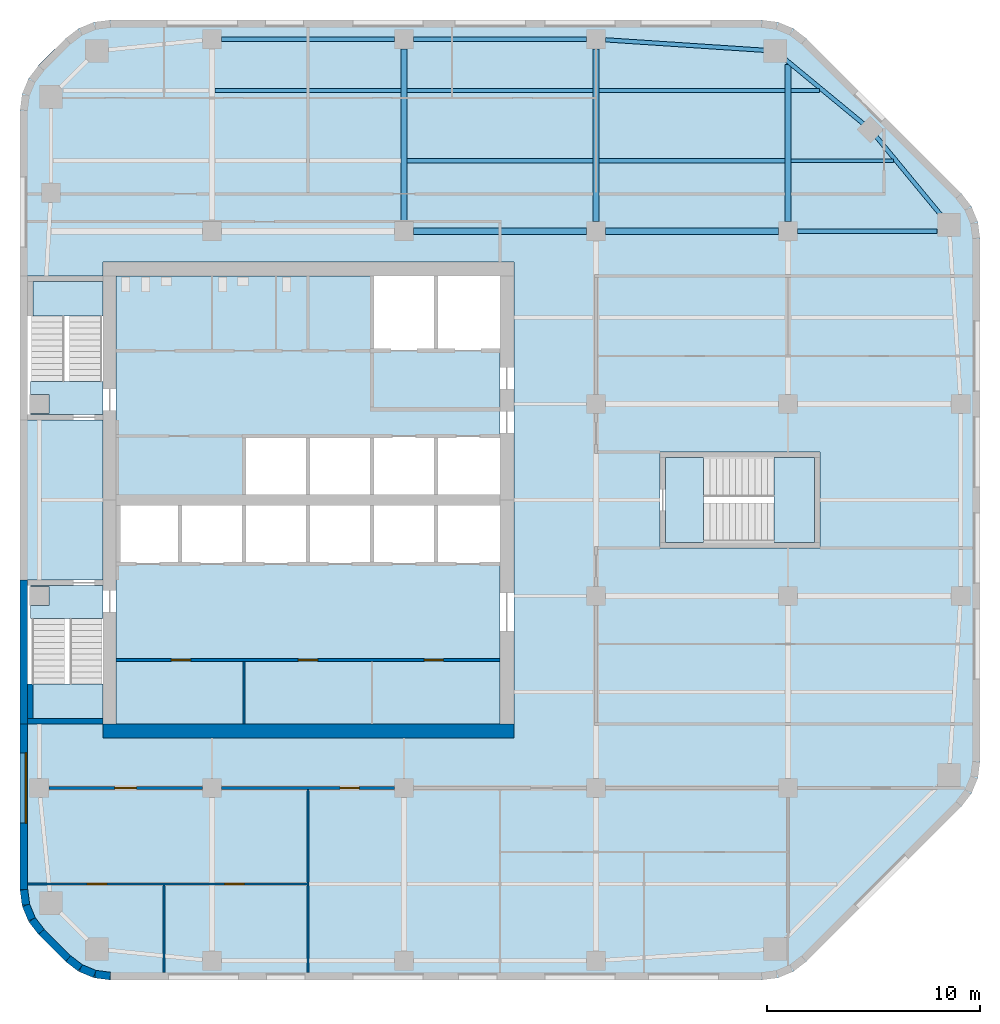
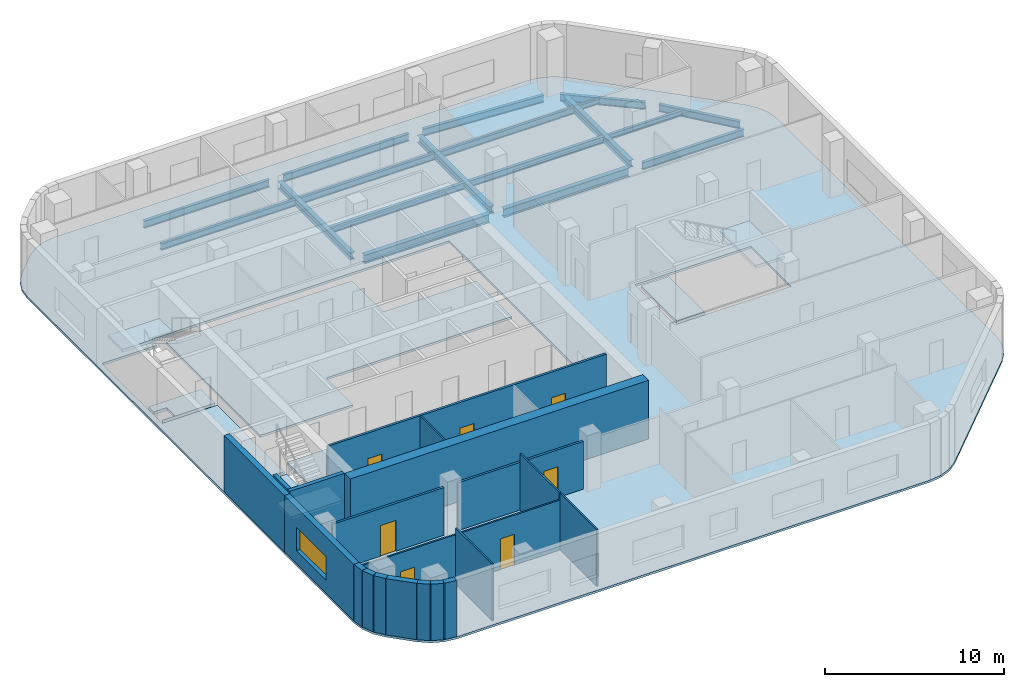
# One storey, part 2 of 8: 20 walls, 18 beams, 9 slabs, 7 doors, 1 window, 8 openings, 3 elements without a shape of their own.
"""IFC4 building model written with IfcOpenShell, lengths in metres."""

from ifc_helpers import new_model, si_unit, direction, frame, frame_2d, origin, origin_2d, place, context, subcontext, project, spatial, polyline, rectangle, i_section, outline, extrude, material, layer, layer_set, material_profile, profile_set, type_object, element, fill, aggregate, save


model = new_model("IFC4")

# Units and contexts
model_context = context("Model", 3, precision=1e-05, world=origin(), true_north=direction((0.0, 1.0)))
body_context = subcontext(model_context, "Body", "Model", "MODEL_VIEW")
ifc_project = project(units=[si_unit("LENGTHUNIT", "METRE"), si_unit("AREAUNIT", "SQUARE_METRE"), si_unit("VOLUMEUNIT", "CUBIC_METRE"), si_unit("PLANEANGLEUNIT", "RADIAN"), si_unit("MASSUNIT", "GRAM", prefix="KILO")], contexts=[model_context])

# Site, building, storey
site_placement = place(None, origin())
site = spatial("IfcSite", under=ifc_project, at=site_placement, CompositionType="ELEMENT")
building_placement = place(site_placement, origin())
building = spatial("IfcBuilding", under=site, at=building_placement, Name="Cinnabar Reach Civic Tower", CompositionType="ELEMENT")
storey_placement = place(building_placement, frame((0.0, 0.0, 157.0)))
storey = spatial("IfcBuildingStorey", under=building, at=storey_placement, Name="L37", CompositionType="ELEMENT", Elevation=157.0)

# Beams
ifc_material_1 = material(Name="Steel Q355B", Category="steel")
ifc_material_profile_1 = material_profile(ifc_material_1, i_section(OverallWidth=0.3, OverallDepth=0.488, WebThickness=0.011, FlangeThickness=0.018, FilletRadius=0.016, at=origin_2d()), Name="HM488x300x11x18")
ifc_profile_set_1 = profile_set([ifc_material_profile_1], Name="Steel Q355B")
beam_type_1 = type_object("IfcBeamType", Name="HM488x300x11x18 beam R 180", PredefinedType="BEAM", material=ifc_profile_set_1)
for number, where, z_axis, x_axis, name in (
    (1, (18.0, 44.552, -0.394), (0.0, 1.0, 0.0), (-1.0, 0.0, 0.0), "Girder T1 L37 6"),
    (2, (27.0, 44.552, -0.394), (0.0, 1.0, 0.0), (-1.0, 0.0, 0.0), "Girder T1 L37 11"),
):
    element("IfcBeam", number, at=place(storey_placement, frame(where, z_axis=z_axis, x_axis=x_axis)), inside=storey, type_object=beam_type_1, Name=name, PredefinedType="BEAM", context=body_context, shape_type="SweptSolid", body=[
        extrude(i_section(OverallWidth=0.3, OverallDepth=0.488, WebThickness=0.011, FlangeThickness=0.018, FilletRadius=0.016, at=origin_2d()), origin(), (0.0, 0.0, 1.0), 8.096),
    ])
beam_1_placement = place(storey_placement, frame((36.0, 44.552, -0.394), z_axis=(0.0, 1.0, 0.0), x_axis=(-1.0, 0.0, 0.0)))
element("IfcBeam", 3, at=beam_1_placement, inside=storey, type_object=beam_type_1, Name="Girder T1 L37 17", PredefinedType="BEAM", context=body_context, shape_type="SweptSolid", body=[
    extrude(i_section(OverallWidth=0.3, OverallDepth=0.488, WebThickness=0.011, FlangeThickness=0.018, FilletRadius=0.016, at=origin_2d()), origin(), (0.0, 0.0, 1.0), 7.3662),
])
ifc_material_profile_2 = material_profile(ifc_material_1, i_section(OverallWidth=0.3, OverallDepth=0.588, WebThickness=0.012, FlangeThickness=0.02, FilletRadius=0.016, at=origin_2d()), Name="HM588x300x12x20")
ifc_profile_set_2 = profile_set([ifc_material_profile_2], Name="Steel Q355B")
beam_type_2 = type_object("IfcBeamType", Name="HM588x300x12x20 beam R 180", PredefinedType="BEAM", material=ifc_profile_set_2)
for number, where, z_axis, x_axis, name in (
    (4, (18.452, 44.1, -0.444), (1.0, 0.0, 0.0), (0.0, 1.0, 0.0), "Girder T1 L37 14"),
    (5, (27.452, 44.1, -0.444), (1.0, 0.0, 0.0), (0.0, 1.0, 0.0), "Girder T1 L37 15"),
):
    element("IfcBeam", number, at=place(storey_placement, frame(where, z_axis=z_axis, x_axis=x_axis)), inside=storey, type_object=beam_type_2, Name=name, PredefinedType="BEAM", context=body_context, shape_type="SweptSolid", body=[
        extrude(i_section(OverallWidth=0.3, OverallDepth=0.588, WebThickness=0.012, FlangeThickness=0.02, FilletRadius=0.016, at=origin_2d()), origin(), (0.0, 0.0, 1.0), 8.096),
    ])
ifc_material_profile_3 = material_profile(ifc_material_1, i_section(OverallWidth=0.175, OverallDepth=0.35, WebThickness=0.007, FlangeThickness=0.011, FilletRadius=0.013, at=origin_2d()), Name="HN350x175x7x11")
ifc_profile_set_3 = profile_set([ifc_material_profile_3], Name="Steel Q355B")
beam_type_3 = type_object("IfcBeamType", Name="HN350x175x7x11 beam R 180", PredefinedType="BEAM", material=ifc_profile_set_3)
beam_2_placement = place(storey_placement, frame((36.152, 47.4, -0.325), z_axis=(1.0, 0.0, 0.0), x_axis=(0.0, 1.0, 0.0)))
element("IfcBeam", 6, at=beam_2_placement, inside=storey, type_object=beam_type_3, Name="Secondary beam T1 L37 20", PredefinedType="BEAM", context=body_context, shape_type="SweptSolid", body=[
    extrude(i_section(OverallWidth=0.175, OverallDepth=0.35, WebThickness=0.007, FlangeThickness=0.011, FilletRadius=0.013, at=origin_2d()), origin(), (0.0, 0.0, 1.0), 4.7866),
])
beam_3_placement = place(storey_placement, frame((36.152, 50.7, -0.325), z_axis=(1.0, 0.0, 0.0), x_axis=(0.0, 1.0, 0.0)))
element("IfcBeam", 7, at=beam_3_placement, inside=storey, type_object=beam_type_3, Name="Secondary beam T1 L37 25", PredefinedType="BEAM", context=body_context, shape_type="SweptSolid", body=[
    extrude(i_section(OverallWidth=0.175, OverallDepth=0.35, WebThickness=0.007, FlangeThickness=0.011, FilletRadius=0.013, at=origin_2d()), origin(), (0.0, 0.0, 1.0), 1.3249),
])
ifc_material_profile_4 = material_profile(ifc_material_1, i_section(OverallWidth=0.2, OverallDepth=0.45, WebThickness=0.009, FlangeThickness=0.014, FilletRadius=0.016, at=origin_2d()), Name="HN450x200x9x14")
ifc_profile_set_4 = profile_set([ifc_material_profile_4], Name="Steel Q355B")
beam_type_4 = type_object("IfcBeamType", Name="HN450x200x9x14 beam R 180", PredefinedType="BEAM", material=ifc_profile_set_4)
for number, where, z_axis, x_axis, name in (
    (8, (18.152, 47.4, -0.375), (1.0, 0.0, 0.0), (0.0, 1.0, 0.0), "Secondary beam T1 L37 18"),
    (9, (27.152, 47.4, -0.375), (1.0, 0.0, 0.0), (0.0, 1.0, 0.0), "Secondary beam T1 L37 19"),
    (10, (9.152, 50.7, -0.375), (1.0, 0.0, 0.0), (0.0, 1.0, 0.0), "Secondary beam T1 L37 22"),
    (11, (18.152, 50.7, -0.375), (1.0, 0.0, 0.0), (0.0, 1.0, 0.0), "Secondary beam T1 L37 23"),
    (12, (27.152, 50.7, -0.375), (1.0, 0.0, 0.0), (0.0, 1.0, 0.0), "Secondary beam T1 L37 24"),
):
    element("IfcBeam", number, at=place(storey_placement, frame(where, z_axis=z_axis, x_axis=x_axis)), inside=storey, type_object=beam_type_4, Name=name, PredefinedType="BEAM", context=body_context, shape_type="SweptSolid", body=[
        extrude(i_section(OverallWidth=0.2, OverallDepth=0.45, WebThickness=0.009, FlangeThickness=0.014, FilletRadius=0.016, at=origin_2d()), origin(), (0.0, 0.0, 1.0), 8.696),
    ])
ifc_material_profile_5 = material_profile(ifc_material_1, i_section(OverallWidth=0.2, OverallDepth=0.5, WebThickness=0.01, FlangeThickness=0.016, FilletRadius=0.016, at=origin_2d()), Name="HN500x200x10x16")
ifc_profile_set_5 = profile_set([ifc_material_profile_5], Name="Steel Q355B")
beam_type_5 = type_object("IfcBeamType", Name="HN500x200x10x16 beam R 180", PredefinedType="BEAM", material=ifc_profile_set_5)
for number, where, z_axis, x_axis, name in (
    (13, (43.1906, 44.8301, -0.4), (-0.63630880182, 0.771434448755, 0.0), (-0.771434448755, -0.63630880182, 0.0), "Edge beam T1 L37 9"),
    (14, (39.5598, 49.1142, -0.4), (-0.771434448755, 0.63630880182, 0.0), (-0.63630880182, -0.771434448755, 0.0), "Edge beam T1 L37 10"),
):
    element("IfcBeam", number, at=place(storey_placement, frame(where, z_axis=z_axis, x_axis=x_axis)), inside=storey, type_object=beam_type_5, Name=name, PredefinedType="BEAM", context=body_context, shape_type="SweptSolid", body=[
        extrude(i_section(OverallWidth=0.2, OverallDepth=0.5, WebThickness=0.01, FlangeThickness=0.016, FilletRadius=0.016, at=origin_2d()), origin(), (0.0, 0.0, 1.0), 4.8348),
    ])
beam_4_placement = place(storey_placement, frame((34.9661, 52.5754, -0.4), z_axis=(-0.99783894477, 0.065707231721, 0.0), x_axis=(-0.065707231721, -0.99783894477, 0.0)))
element("IfcBeam", 15, at=beam_4_placement, inside=storey, type_object=beam_type_5, Name="Edge beam T1 L37 11", PredefinedType="BEAM", context=body_context, shape_type="SweptSolid", body=[
    extrude(i_section(OverallWidth=0.2, OverallDepth=0.5, WebThickness=0.01, FlangeThickness=0.016, FilletRadius=0.016, at=origin_2d()), origin(), (0.0, 0.0, 1.0), 7.5304),
])
for number, where, z_axis, x_axis, name in (
    (16, (26.548, 53.1, -0.4), (-1.0, 0.0, 0.0), (0.0, -1.0, 0.0), "Edge beam T1 L37 12"),
    (17, (17.548, 53.1, -0.4), (-1.0, 0.0, 0.0), (0.0, -1.0, 0.0), "Edge beam T1 L37 13"),
):
    element("IfcBeam", number, at=place(storey_placement, frame(where, z_axis=z_axis, x_axis=x_axis)), inside=storey, type_object=beam_type_5, Name=name, PredefinedType="BEAM", context=body_context, shape_type="SweptSolid", body=[
        extrude(i_section(OverallWidth=0.2, OverallDepth=0.5, WebThickness=0.01, FlangeThickness=0.016, FilletRadius=0.016, at=origin_2d()), origin(), (0.0, 0.0, 1.0), 8.096),
    ])
beam_5_placement = place(storey_placement, frame((36.452, 44.1, -0.4), z_axis=(1.0, 0.0, 0.0), x_axis=(0.0, 1.0, 0.0)))
element("IfcBeam", 18, at=beam_5_placement, inside=storey, type_object=beam_type_5, Name="Girder T1 L37 16", PredefinedType="BEAM", context=body_context, shape_type="SweptSolid", body=[
    extrude(i_section(OverallWidth=0.2, OverallDepth=0.5, WebThickness=0.01, FlangeThickness=0.016, FilletRadius=0.016, at=origin_2d()), origin(), (0.0, 0.0, 1.0), 6.5429),
])

# Slab
ifc_material_2 = material(Name="Concrete C40", Category="concrete")
ifc_layer_1 = layer(ifc_material_2, 0.15)
ifc_layer_set_1 = layer_set([ifc_layer_1], Name="Composite floor slab 150 REI 150")
slab_type_1 = type_object("IfcSlabType", Name="Composite floor slab 150 REI 150", PredefinedType="FLOOR", material=ifc_layer_set_1)
slab_1_placement = place(storey_placement, frame((0.0, 0.0, -0.15)))
element("IfcSlab", 19, at=slab_1_placement, inside=storey, type_object=slab_type_1, Name="Composite floor slab 150 T1 L37", PredefinedType="FLOOR", context=body_context, shape_type="SweptSolid", body=[
    extrude(outline(polyline([(0.8787, 11.1213), (0.4019, 11.7426), (0.1022, 12.4662), (0.0, 13.2426), (0.0, 49.7574), (0.1022, 50.5338), (0.4019, 51.2574), (0.8787, 51.8787), (2.1213, 53.1213), (2.7426, 53.5981), (3.4662, 53.8978), (4.2426, 54.0), (34.7574, 54.0), (35.5338, 53.8978), (36.2574, 53.5981), (36.8787, 53.1213), (44.1213, 45.8787), (44.5981, 45.2574), (44.8978, 44.5338), (45.0, 43.7574), (45.0, 19.2426), (44.8978, 18.4662), (44.5981, 17.7426), (44.1213, 17.1213), (36.8787, 9.8787), (36.2574, 9.4019), (35.5338, 9.1022), (34.7574, 9.0), (4.2426, 9.0), (3.4662, 9.1022), (2.7426, 9.4019), (2.1213, 9.8787), (0.8787, 11.1213)]), holes=[polyline([(0.36, 21.0), (3.9, 21.0), (3.9, 20.35), (23.15, 20.35), (23.15, 42.65), (3.9, 42.65), (3.9, 42.0), (0.36, 42.0), (0.36, 35.25), (3.9, 35.25), (3.9, 27.75), (0.36, 27.75), (0.36, 21.0)]), polyline([(30.0, 33.75), (30.0, 29.25), (37.5, 29.25), (37.5, 33.75), (30.0, 33.75)])]), origin(), (0.0, 0.0, 1.0), 0.15),
])

# Stair, slabs
ifc_material_3 = material(Name="Concrete C40/50", Category="concrete")
stair_type = type_object("IfcStairType", Name="T1 Exit stair, half-turn", PredefinedType="HALF_TURN_STAIR", material=ifc_material_3)
stair_1_placement = place(storey_placement, origin())
stair_1 = element("IfcStair", 20, at=stair_1_placement, inside=storey, type_object=stair_type, Name="Stair T1-S1", PredefinedType="HALF_TURN_STAIR")
ifc_layer_2 = layer(ifc_material_3, 0.2)
ifc_layer_set_2 = layer_set([ifc_layer_2], Name="T1 Stair landing 200, Concrete C40/50")
slab_type_2 = type_object("IfcSlabType", Name="T1 Stair landing 200, Concrete C40/50", PredefinedType="LANDING", material=ifc_layer_set_2)
slab_2_placement = place(storey_placement, frame((0.0, 0.0, -0.2)))
slab_2 = element("IfcSlab", 21, at=slab_2_placement, type_object=slab_type_2, Name="T1-S1 landing 1", PredefinedType="LANDING", context=body_context, shape_type="SweptSolid", body=[
    extrude(outline(polyline([(0.5, 27.5), (3.9, 27.5), (3.9, 25.95), (0.5, 25.95), (0.5, 26.55), (1.35, 26.55), (1.35, 27.45), (0.5, 27.45), (0.5, 27.5)])), origin(), (0.0, 0.0, 1.0), 0.2),
])
slab_3_placement = place(storey_placement, frame((0.0, 0.0, 1.8)))
slab_3 = element("IfcSlab", 22, at=slab_3_placement, type_object=slab_type_2, Name="T1-S1 landing 2", PredefinedType="LANDING", context=body_context, shape_type="SweptSolid", body=[
    extrude(outline(polyline([(0.6, 21.25), (0.6, 22.87), (3.9, 22.87), (3.9, 21.25), (0.6, 21.25)])), origin(), (0.0, 0.0, 1.0), 0.2),
])
aggregate(stair_1, [slab_2, slab_3])

stair_2_placement = place(storey_placement, origin())
stair_2 = element("IfcStair", 23, at=stair_2_placement, inside=storey, type_object=stair_type, Name="Stair T1-S2", PredefinedType="HALF_TURN_STAIR")
slab_4_placement = place(storey_placement, frame((0.0, 0.0, -0.2)))
slab_4 = element("IfcSlab", 24, at=slab_4_placement, type_object=slab_type_2, Name="T1-S2 landing 1", PredefinedType="LANDING", context=body_context, shape_type="SweptSolid", body=[
    extrude(outline(polyline([(0.5, 37.05), (3.9, 37.05), (3.9, 35.5), (0.5, 35.5), (0.5, 35.55), (1.35, 35.55), (1.35, 36.45), (0.5, 36.45), (0.5, 37.05)])), origin(), (0.0, 0.0, 1.0), 0.2),
])
slab_5_placement = place(storey_placement, frame((0.0, 0.0, 1.8)))
slab_5 = element("IfcSlab", 25, at=slab_5_placement, type_object=slab_type_2, Name="T1-S2 landing 2", PredefinedType="LANDING", context=body_context, shape_type="SweptSolid", body=[
    extrude(outline(polyline([(0.6, 40.13), (0.6, 41.75), (3.9, 41.75), (3.9, 40.13), (0.6, 40.13)])), origin(), (0.0, 0.0, 1.0), 0.2),
])
aggregate(stair_2, [slab_4, slab_5])

stair_3_placement = place(storey_placement, origin())
stair_3 = element("IfcStair", 26, at=stair_3_placement, inside=storey, type_object=stair_type, Name="Stair T1-S3", PredefinedType="HALF_TURN_STAIR")
slab_6_placement = place(storey_placement, frame((0.0, 0.0, -0.2)))
slab_6 = element("IfcSlab", 27, at=slab_6_placement, type_object=slab_type_2, Name="T1-S3 landing 1", PredefinedType="LANDING", context=body_context, shape_type="SweptSolid", body=[
    extrude(outline(polyline([(30.25, 29.5), (32.05, 29.5), (32.05, 33.5), (30.25, 33.5), (30.25, 29.5)])), origin(), (0.0, 0.0, 1.0), 0.2),
])
slab_7_placement = place(storey_placement, frame((0.0, 0.0, 1.8)))
slab_7 = element("IfcSlab", 28, at=slab_7_placement, type_object=slab_type_2, Name="T1-S3 landing 2", PredefinedType="LANDING", context=body_context, shape_type="SweptSolid", body=[
    extrude(outline(polyline([(35.35, 29.5), (37.25, 29.5), (37.25, 33.5), (35.35, 33.5), (35.35, 29.5)])), origin(), (0.0, 0.0, 1.0), 0.2),
])
aggregate(stair_3, [slab_6, slab_7])

# Slabs
ifc_layer_3 = layer(ifc_material_3, 0.15)
ifc_layer_set_3 = layer_set([ifc_layer_3], Name="T1 core floor slab 150")
slab_type_3 = type_object("IfcSlabType", Name="T1 core floor slab 150", PredefinedType="FLOOR", material=ifc_layer_set_3)
slab_8_placement = place(storey_placement, frame((0.0, 0.0, -0.15)))
element("IfcSlab", 29, at=slab_8_placement, inside=storey, type_object=slab_type_3, Name="Core floor slab L37", PredefinedType="FLOOR", context=body_context, shape_type="SweptSolid", body=[
    extrude(outline(polyline([(22.5, 21.0), (4.5, 21.0), (4.5, 28.5), (7.5, 28.5), (10.5, 28.5), (13.5, 28.5), (16.5, 28.5), (19.5, 28.5), (22.5, 28.5), (22.5, 21.0)])), origin(), (0.0, 0.0, 1.0), 0.15),
])
slab_9_placement = place(storey_placement, frame((0.0, 0.0, -0.15)))
element("IfcSlab", 30, at=slab_9_placement, inside=storey, type_object=slab_type_3, Name="Core floor slab L37", PredefinedType="FLOOR", context=body_context, shape_type="SweptSolid", body=[
    extrude(outline(polyline([(22.5, 34.5), (19.5, 34.5), (16.5, 34.5), (13.5, 34.5), (10.5, 34.5), (10.5, 31.5), (7.5, 31.5), (4.5, 31.5), (4.5, 42.0), (16.5, 42.0), (16.5, 38.5), (19.5, 38.5), (22.5, 38.5), (22.5, 34.5)])), origin(), (0.0, 0.0, 1.0), 0.15),
])

# Walls
ifc_material_4 = material(Name="Facing brick with insulated backing", Category="masonry")
ifc_layer_4 = layer(ifc_material_4, 0.36)
ifc_layer_set_4 = layer_set([ifc_layer_4], Name="Brick corner wall")
wall_type_1 = type_object("IfcWallType", Name="Brick corner wall", PredefinedType="STANDARD", material=ifc_layer_set_4)
for number, where, z_axis, x_axis, name in (
    (31, (0.183, 13.2314, 0.0), (0.0, 0.0, 1.0), (0.13055608231, -0.99144092581, 0.0), "Brick corner wall"),
    (32, (0.2819, 12.5027, 0.0), (0.0, 0.0, 1.0), (0.382702709855, -0.923871547278, 0.0), "Brick corner wall"),
):
    element("IfcWall", number, at=place(storey_placement, frame(where, z_axis=z_axis, x_axis=x_axis)), inside=storey, type_object=wall_type_1, Name=name, PredefinedType="STANDARD", context=body_context, shape_type="SweptSolid", body=[
        extrude(rectangle(XDim=0.7131, YDim=0.36, at=frame_2d((0.3565, 0.0))), origin(), (0.0, 0.0, 1.0), 3.85),
    ])
for number, where, z_axis, x_axis, name in (
    (33, (0.566, 11.8245, 0.0), (0.0, 0.0, 1.0), (0.608802368033, -0.793321924995, 0.0), "Brick corner wall"),
    (34, (2.2587, 10.0002, 0.0), (0.0, 0.0, 1.0), (0.793321924995, -0.608802368033, 0.0), "Brick corner wall"),
):
    element("IfcWall", number, at=place(storey_placement, frame(where, z_axis=z_axis, x_axis=x_axis)), inside=storey, type_object=wall_type_1, Name=name, PredefinedType="STANDARD", context=body_context, shape_type="SweptSolid", body=[
        extrude(rectangle(XDim=0.7132, YDim=0.36, at=frame_2d((0.3566, 0.0))), origin(), (0.0, 0.0, 1.0), 3.85),
    ])
for number, where, z_axis, x_axis, name in (
    (35, (2.8439, 9.5548, 0.0), (0.0, 0.0, 1.0), (0.923871547278, -0.382702709855, 0.0), "Brick corner wall"),
    (36, (3.5244, 9.2761, 0.0), (0.0, 0.0, 1.0), (0.99144092581, -0.13055608231, 0.0), "Brick corner wall"),
):
    element("IfcWall", number, at=place(storey_placement, frame(where, z_axis=z_axis, x_axis=x_axis)), inside=storey, type_object=wall_type_1, Name=name, PredefinedType="STANDARD", context=body_context, shape_type="SweptSolid", body=[
        extrude(rectangle(XDim=0.7131, YDim=0.36, at=frame_2d((0.3565, 0.0))), origin(), (0.0, 0.0, 1.0), 3.85),
    ])
ifc_layer_5 = layer(ifc_material_4, 0.36)
ifc_layer_set_5 = layer_set([ifc_layer_5], Name="Brick pier and spandrel wall")
wall_type_2 = type_object("IfcWallType", Name="Brick pier and spandrel wall", PredefinedType="STANDARD", material=ifc_layer_set_5)
wall_1_placement = place(storey_placement, frame((0.18, 27.75, 0.0), z_axis=(0.0, 0.0, 1.0), x_axis=(0.0, -1.0, 0.0)))
element("IfcWall", 37, at=wall_1_placement, inside=storey, type_object=wall_type_2, Name="Brick facade wall", PredefinedType="STANDARD", context=body_context, shape_type="SweptSolid", body=[
    extrude(rectangle(XDim=6.75, YDim=0.36, at=frame_2d((3.375, 0.0))), origin(), (0.0, 0.0, 1.0), 3.85),
])

# Wall, opening, window
wall_2_placement = place(storey_placement, frame((0.18, 21.0, 0.0), z_axis=(0.0, 0.0, 1.0), x_axis=(0.0, -1.0, 0.0)))
wall_2 = element("IfcWall", 38, at=wall_2_placement, inside=storey, type_object=wall_type_2, Name="Brick facade wall", PredefinedType="STANDARD", context=body_context, shape_type="SweptSolid", body=[
    extrude(rectangle(XDim=7.7574, YDim=0.36, at=frame_2d((3.8787, 0.0))), origin(), (0.0, 0.0, 1.0), 3.85),
])
opening_1_placement = place(wall_2_placement, frame((1.35, 0.0, 0.9)))
opening_1 = element("IfcOpeningElement", 39, at=opening_1_placement, cuts=wall_2, Name="Opening W1780", PredefinedType="OPENING", context=body_context, shape_type="SweptSolid", body=[
    extrude(rectangle(XDim=3.3, YDim=1.6, at=frame_2d((1.65, 0.8))), frame((0.0, 0.19, 0.0), z_axis=(0.0, -1.0, 0.0), x_axis=(1.0, 0.0, 0.0)), (0.0, 0.0, 1.0), 0.38),
])
ifc_material_5 = material(Name="Clear double glazing in aluminium frame", Category="aluminium")
window_type = type_object("IfcWindowType", Name="Deep-set window A", PartitioningType="SINGLE_PANEL", PredefinedType="WINDOW", material=ifc_material_5)
window_placement = place(opening_1_placement, origin())
window = element("IfcWindow", 40, at=window_placement, inside=storey, type_object=window_type, Name="Window west face", OverallHeight=1.6, OverallWidth=3.3, PartitioningType="SINGLE_PANEL", PredefinedType="WINDOW", context=body_context, shape_type="SweptSolid", body=[
    extrude(rectangle(XDim=3.3, YDim=1.6, at=frame_2d((1.65, 0.8))), frame((0.0, 0.13, 0.0), z_axis=(0.0, -1.0, 0.0), x_axis=(1.0, 0.0, 0.0)), (0.0, 0.0, 1.0), 0.06),
])
fill(opening_1, window)

# Walls
wall_3_placement = place(storey_placement, frame((1.006, 11.2486, 0.0), z_axis=(0.0, 0.0, 1.0), x_axis=(0.707106781187, -0.707106781187, 0.0)))
element("IfcWall", 41, at=wall_3_placement, inside=storey, type_object=wall_type_2, Name="Brick facade wall", PredefinedType="STANDARD", context=body_context, shape_type="SweptSolid", body=[
    extrude(rectangle(XDim=1.7573, YDim=0.36, at=frame_2d((0.8787, 0.0))), origin(), (0.0, 0.0, 1.0), 3.85),
])
ifc_material_6 = material(Name="Concrete C70", Category="concrete")
ifc_layer_6 = layer(ifc_material_6, 0.65)
ifc_layer_set_6 = layer_set([ifc_layer_6], Name="Core wall 650 EI 180")
wall_type_3 = type_object("IfcWallType", Name="Core wall 650 EI 180", PredefinedType="SOLIDWALL", material=ifc_layer_set_6)
wall_4_placement = place(storey_placement, frame((3.9, 20.675, 0.0), z_axis=(0.0, 0.0, 1.0), x_axis=(1.0, 0.0, 0.0)))
element("IfcWall", 42, at=wall_4_placement, inside=storey, type_object=wall_type_3, Name="Core wall T1 L37 S", PredefinedType="SOLIDWALL", context=body_context, shape_type="SweptSolid", body=[
    extrude(rectangle(XDim=19.25, YDim=0.65, at=frame_2d((9.625, 0.0))), origin(), (0.0, 0.0, 1.0), 4.0),
])

# Wall, opening, door
ifc_material_7 = material(Name="Gypsum board on steel studs, double layer", Category="steel")
ifc_layer_7 = layer(ifc_material_7, 0.15)
ifc_layer_set_7 = layer_set([ifc_layer_7], Name="Corridor wall 150 T1")
wall_type_4 = type_object("IfcWallType", Name="Corridor wall 150 T1", PredefinedType="PARTITIONING", material=ifc_layer_set_7)
wall_5_placement = place(storey_placement, frame((1.35, 18.0, 0.0), z_axis=(0.0, 0.0, 1.0), x_axis=(1.0, 0.0, 0.0)))
wall_5 = element("IfcWall", 43, at=wall_5_placement, inside=storey, type_object=wall_type_4, Name="Corridor wall 18", PredefinedType="PARTITIONING", context=body_context, shape_type="SweptSolid", body=[
    extrude(rectangle(XDim=7.2, YDim=0.15, at=frame_2d((3.6, 0.0))), origin(), (0.0, 0.0, 1.0), 3.262),
])
opening_2_placement = place(wall_5_placement, frame((3.1, 0.0, 0.0)))
opening_2 = element("IfcOpeningElement", 44, at=opening_2_placement, cuts=wall_5, Name="Opening D4527", PredefinedType="OPENING", context=body_context, shape_type="SweptSolid", body=[
    extrude(rectangle(XDim=1.0, YDim=2.1, at=frame_2d((0.5, 1.05))), frame((0.0, 0.085, 0.0), z_axis=(0.0, -1.0, 0.0), x_axis=(1.0, 0.0, 0.0)), (0.0, 0.0, 1.0), 0.17),
])
ifc_material_8 = material(Name="Timber door leaf in steel frame", Category="steel")
door_type_1 = type_object("IfcDoorType", Name="Tenancy entrance door 1000 x 2100 T1", OperationType="SINGLE_SWING_LEFT", PredefinedType="DOOR", material=ifc_material_8)
door_1_placement = place(opening_2_placement, frame((1.0, 0.0, 0.0), z_axis=(0.0, 0.0, 1.0), x_axis=(-1.0, 0.0, 0.0)))
door_1 = element("IfcDoor", 45, at=door_1_placement, inside=storey, type_object=door_type_1, Name="Door D4527", OperationType="SINGLE_SWING_LEFT", OverallHeight=2.1, OverallWidth=1.0, PredefinedType="DOOR", context=body_context, shape_type="SweptSolid", body=[
    extrude(rectangle(XDim=1.0, YDim=2.1, at=frame_2d((0.5, 1.05))), frame((0.0, 0.025, 0.0), z_axis=(0.0, -1.0, 0.0), x_axis=(1.0, 0.0, 0.0)), (0.0, 0.0, 1.0), 0.05),
])
fill(opening_2, door_1)

wall_6_placement = place(storey_placement, frame((9.45, 18.0, 0.0), z_axis=(0.0, 0.0, 1.0), x_axis=(1.0, 0.0, 0.0)))
wall_6 = element("IfcWall", 46, at=wall_6_placement, inside=storey, type_object=wall_type_4, Name="Corridor wall 19", PredefinedType="PARTITIONING", context=body_context, shape_type="SweptSolid", body=[
    extrude(rectangle(XDim=8.1, YDim=0.15, at=frame_2d((4.05, 0.0))), origin(), (0.0, 0.0, 1.0), 3.262),
])
opening_3_placement = place(wall_6_placement, frame((5.55, 0.0, 0.0)))
opening_3 = element("IfcOpeningElement", 47, at=opening_3_placement, cuts=wall_6, Name="Opening D4530", PredefinedType="OPENING", context=body_context, shape_type="SweptSolid", body=[
    extrude(rectangle(XDim=0.9, YDim=2.1, at=frame_2d((0.45, 1.05))), frame((0.0, 0.085, 0.0), z_axis=(0.0, -1.0, 0.0), x_axis=(1.0, 0.0, 0.0)), (0.0, 0.0, 1.0), 0.17),
])
door_type_2 = type_object("IfcDoorType", Name="Single swing door 900 x 2100 corridor T1", OperationType="SINGLE_SWING_LEFT", PredefinedType="DOOR", material=ifc_material_8)
door_2_placement = place(opening_3_placement, frame((0.9, 0.0, 0.0), z_axis=(0.0, 0.0, 1.0), x_axis=(-1.0, 0.0, 0.0)))
door_2 = element("IfcDoor", 48, at=door_2_placement, inside=storey, type_object=door_type_2, Name="Door D4530", OperationType="SINGLE_SWING_LEFT", OverallHeight=2.1, OverallWidth=0.9, PredefinedType="DOOR", context=body_context, shape_type="SweptSolid", body=[
    extrude(rectangle(XDim=0.9, YDim=2.1, at=frame_2d((0.45, 1.05))), frame((0.0, 0.025, 0.0), z_axis=(0.0, -1.0, 0.0), x_axis=(1.0, 0.0, 0.0)), (0.0, 0.0, 1.0), 0.05),
])
fill(opening_3, door_2)

# Wall, openings, doors
wall_7_placement = place(storey_placement, frame((4.5, 24.0, 0.0), z_axis=(0.0, 0.0, 1.0), x_axis=(1.0, 0.0, 0.0)))
wall_7 = element("IfcWall", 49, at=wall_7_placement, inside=storey, type_object=wall_type_4, Name="Corridor wall 26", PredefinedType="PARTITIONING", context=body_context, shape_type="SweptSolid", body=[
    extrude(rectangle(XDim=18.0, YDim=0.15, at=frame_2d((9.0, 0.0))), origin(), (0.0, 0.0, 1.0), 3.85),
])
opening_4_placement = place(wall_7_placement, frame((2.6, 0.0, 0.0)))
opening_4 = element("IfcOpeningElement", 50, at=opening_4_placement, cuts=wall_7, Name="Opening D4514", PredefinedType="OPENING", context=body_context, shape_type="SweptSolid", body=[
    extrude(rectangle(XDim=0.9, YDim=2.1, at=frame_2d((0.45, 1.05))), frame((0.0, 0.085, 0.0), z_axis=(0.0, -1.0, 0.0), x_axis=(1.0, 0.0, 0.0)), (0.0, 0.0, 1.0), 0.17),
])
opening_5_placement = place(wall_7_placement, frame((8.55, 0.0, 0.0)))
opening_5 = element("IfcOpeningElement", 51, at=opening_5_placement, cuts=wall_7, Name="Opening D4515", PredefinedType="OPENING", context=body_context, shape_type="SweptSolid", body=[
    extrude(rectangle(XDim=0.9, YDim=2.1, at=frame_2d((0.45, 1.05))), frame((0.0, 0.085, 0.0), z_axis=(0.0, -1.0, 0.0), x_axis=(1.0, 0.0, 0.0)), (0.0, 0.0, 1.0), 0.17),
])
opening_6_placement = place(wall_7_placement, frame((14.45, 0.0, 0.0)))
opening_6 = element("IfcOpeningElement", 52, at=opening_6_placement, cuts=wall_7, Name="Opening D4516", PredefinedType="OPENING", context=body_context, shape_type="SweptSolid", body=[
    extrude(rectangle(XDim=0.9, YDim=2.1, at=frame_2d((0.45, 1.05))), frame((0.0, 0.085, 0.0), z_axis=(0.0, -1.0, 0.0), x_axis=(1.0, 0.0, 0.0)), (0.0, 0.0, 1.0), 0.17),
])
door_3_placement = place(opening_4_placement, frame((0.9, 0.0, 0.0), z_axis=(0.0, 0.0, 1.0), x_axis=(-1.0, 0.0, 0.0)))
door_3 = element("IfcDoor", 53, at=door_3_placement, inside=storey, type_object=door_type_2, Name="Door D4514", OperationType="SINGLE_SWING_RIGHT", OverallHeight=2.1, OverallWidth=0.9, PredefinedType="DOOR", context=body_context, shape_type="SweptSolid", body=[
    extrude(rectangle(XDim=0.9, YDim=2.1, at=frame_2d((0.45, 1.05))), frame((0.0, 0.025, 0.0), z_axis=(0.0, -1.0, 0.0), x_axis=(1.0, 0.0, 0.0)), (0.0, 0.0, 1.0), 0.05),
])
fill(opening_4, door_3)
door_4_placement = place(opening_5_placement, frame((0.9, 0.0, 0.0), z_axis=(0.0, 0.0, 1.0), x_axis=(-1.0, 0.0, 0.0)))
door_4 = element("IfcDoor", 54, at=door_4_placement, inside=storey, type_object=door_type_2, Name="Door D4515", OperationType="SINGLE_SWING_LEFT", OverallHeight=2.1, OverallWidth=0.9, PredefinedType="DOOR", context=body_context, shape_type="SweptSolid", body=[
    extrude(rectangle(XDim=0.9, YDim=2.1, at=frame_2d((0.45, 1.05))), frame((0.0, 0.025, 0.0), z_axis=(0.0, -1.0, 0.0), x_axis=(1.0, 0.0, 0.0)), (0.0, 0.0, 1.0), 0.05),
])
fill(opening_5, door_4)
door_5_placement = place(opening_6_placement, frame((0.9, 0.0, 0.0), z_axis=(0.0, 0.0, 1.0), x_axis=(-1.0, 0.0, 0.0)))
door_5 = element("IfcDoor", 55, at=door_5_placement, inside=storey, type_object=door_type_2, Name="Door D4516", OperationType="SINGLE_SWING_RIGHT", OverallHeight=2.1, OverallWidth=0.9, PredefinedType="DOOR", context=body_context, shape_type="SweptSolid", body=[
    extrude(rectangle(XDim=0.9, YDim=2.1, at=frame_2d((0.45, 1.05))), frame((0.0, 0.025, 0.0), z_axis=(0.0, -1.0, 0.0), x_axis=(1.0, 0.0, 0.0)), (0.0, 0.0, 1.0), 0.05),
])
fill(opening_6, door_5)

ifc_material_9 = material(Name="Gypsum board on steel studs", Category="steel")
ifc_layer_8 = layer(ifc_material_9, 0.1)
ifc_layer_set_8 = layer_set([ifc_layer_8], Name="Partition wall 100 T1")
wall_type_5 = type_object("IfcWallType", Name="Partition wall 100 T1", PredefinedType="PARTITIONING", material=ifc_layer_set_8)
wall_8_placement = place(storey_placement, frame((0.36, 13.5, 0.0), z_axis=(0.0, 0.0, 1.0), x_axis=(1.0, 0.0, 0.0)))
wall_8 = element("IfcWall", 56, at=wall_8_placement, inside=storey, type_object=wall_type_5, Name="Partition wall 50", PredefinedType="PARTITIONING", context=body_context, shape_type="SweptSolid", body=[
    extrude(rectangle(XDim=13.19, YDim=0.1, at=frame_2d((6.595, 0.0))), origin(), (0.0, 0.0, 1.0), 3.4),
])
opening_7_placement = place(wall_8_placement, frame((2.8, 0.0, 0.0)))
opening_7 = element("IfcOpeningElement", 57, at=opening_7_placement, cuts=wall_8, Name="Opening D4528", PredefinedType="OPENING", context=body_context, shape_type="SweptSolid", body=[
    extrude(rectangle(XDim=0.9, YDim=2.1, at=frame_2d((0.45, 1.05))), frame((0.0, 0.06, 0.0), z_axis=(0.0, -1.0, 0.0), x_axis=(1.0, 0.0, 0.0)), (0.0, 0.0, 1.0), 0.12),
])
opening_8_placement = place(wall_8_placement, frame((9.24, 0.0, 0.0)))
opening_8 = element("IfcOpeningElement", 58, at=opening_8_placement, cuts=wall_8, Name="Opening D4529", PredefinedType="OPENING", context=body_context, shape_type="SweptSolid", body=[
    extrude(rectangle(XDim=0.9, YDim=2.1, at=frame_2d((0.45, 1.05))), frame((0.0, 0.06, 0.0), z_axis=(0.0, -1.0, 0.0), x_axis=(1.0, 0.0, 0.0)), (0.0, 0.0, 1.0), 0.12),
])
door_type_3 = type_object("IfcDoorType", Name="Single swing door 900 x 2100 T1", OperationType="SINGLE_SWING_LEFT", PredefinedType="DOOR", material=ifc_material_8)
door_6_placement = place(opening_7_placement, frame((0.9, 0.0, 0.0), z_axis=(0.0, 0.0, 1.0), x_axis=(-1.0, 0.0, 0.0)))
door_6 = element("IfcDoor", 59, at=door_6_placement, inside=storey, type_object=door_type_3, Name="Door D4528", OperationType="SINGLE_SWING_RIGHT", OverallHeight=2.1, OverallWidth=0.9, PredefinedType="DOOR", context=body_context, shape_type="SweptSolid", body=[
    extrude(rectangle(XDim=0.9, YDim=2.1, at=frame_2d((0.45, 1.05))), frame((0.0, 0.025, 0.0), z_axis=(0.0, -1.0, 0.0), x_axis=(1.0, 0.0, 0.0)), (0.0, 0.0, 1.0), 0.05),
])
fill(opening_7, door_6)
door_7_placement = place(opening_8_placement, frame((0.9, 0.0, 0.0), z_axis=(0.0, 0.0, 1.0), x_axis=(-1.0, 0.0, 0.0)))
door_7 = element("IfcDoor", 60, at=door_7_placement, inside=storey, type_object=door_type_3, Name="Door D4529", OperationType="SINGLE_SWING_LEFT", OverallHeight=2.1, OverallWidth=0.9, PredefinedType="DOOR", context=body_context, shape_type="SweptSolid", body=[
    extrude(rectangle(XDim=0.9, YDim=2.1, at=frame_2d((0.45, 1.05))), frame((0.0, 0.025, 0.0), z_axis=(0.0, -1.0, 0.0), x_axis=(1.0, 0.0, 0.0)), (0.0, 0.0, 1.0), 0.05),
])
fill(opening_8, door_7)

# Walls
wall_9_placement = place(storey_placement, frame((13.5, 13.55, 0.0), z_axis=(0.0, 0.0, 1.0), x_axis=(0.0, 1.0, 0.0)))
element("IfcWall", 61, at=wall_9_placement, inside=storey, type_object=wall_type_5, Name="Partition wall 51", PredefinedType="PARTITIONING", context=body_context, shape_type="SweptSolid", body=[
    extrude(rectangle(XDim=4.375, YDim=0.1, at=frame_2d((2.1875, 0.0))), origin(), (0.0, 0.0, 1.0), 3.85),
])
for number, where, z_axis, x_axis, name in (
    (62, (13.5, 9.36, 0.0), (0.0, 0.0, 1.0), (0.0, 1.0, 0.0), "Partition wall 52"),
    (63, (6.75, 9.36, 0.0), (0.0, 0.0, 1.0), (0.0, 1.0, 0.0), "Partition wall 60"),
):
    element("IfcWall", number, at=place(storey_placement, frame(where, z_axis=z_axis, x_axis=x_axis)), inside=storey, type_object=wall_type_5, Name=name, PredefinedType="PARTITIONING", context=body_context, shape_type="SweptSolid", body=[
        extrude(rectangle(XDim=4.09, YDim=0.1, at=frame_2d((2.045, 0.0))), origin(), (0.0, 0.0, 1.0), 3.85),
    ])
wall_10_placement = place(storey_placement, frame((10.5, 21.0, 0.0), z_axis=(0.0, 0.0, 1.0), x_axis=(0.0, 1.0, 0.0)))
element("IfcWall", 64, at=wall_10_placement, inside=storey, type_object=wall_type_5, Name="Partition wall 66", PredefinedType="PARTITIONING", context=body_context, shape_type="SweptSolid", body=[
    extrude(rectangle(XDim=2.925, YDim=0.1, at=frame_2d((1.4625, 0.0))), origin(), (0.0, 0.0, 1.0), 3.85),
])
ifc_material_10 = material(Name="Concrete C60", Category="concrete")
ifc_layer_9 = layer(ifc_material_10, 0.25)
ifc_layer_set_9 = layer_set([ifc_layer_9], Name="Stair shaft wall 250 EI 120")
wall_type_6 = type_object("IfcWallType", Name="Stair shaft wall 250 EI 120", PredefinedType="SOLIDWALL", material=ifc_layer_set_9)
wall_11_placement = place(storey_placement, frame((0.36, 21.125, 0.0), z_axis=(0.0, 0.0, 1.0), x_axis=(1.0, 0.0, 0.0)))
element("IfcWall", 65, at=wall_11_placement, inside=storey, type_object=wall_type_6, Name="Stair shaft wall T1-S1 L37", PredefinedType="SOLIDWALL", context=body_context, shape_type="SweptSolid", body=[
    extrude(rectangle(XDim=3.54, YDim=0.25, at=frame_2d((1.77, 0.0))), origin(), (0.0, 0.0, 1.0), 4.0),
])
ifc_layer_10 = layer(ifc_material_3, 0.24)
ifc_layer_set_10 = layer_set([ifc_layer_10], Name="T1 landing bearer wall 240")
wall_type_7 = type_object("IfcWallType", Name="T1 landing bearer wall 240", PredefinedType="STANDARD", material=ifc_layer_set_10)
wall_12_placement = place(storey_placement, frame((0.48, 21.25, 0.0), z_axis=(0.0, 0.0, 1.0), x_axis=(0.0, 1.0, 0.0)))
element("IfcWall", 66, at=wall_12_placement, inside=storey, type_object=wall_type_7, Name="T1-S1 landing bearer wall", PredefinedType="STANDARD", context=body_context, shape_type="SweptSolid", body=[
    extrude(rectangle(XDim=1.62, YDim=0.24, at=frame_2d((0.81, 0.0))), origin(), (0.0, 0.0, 1.0), 4.0),
])

save(model, "model.ifc")
